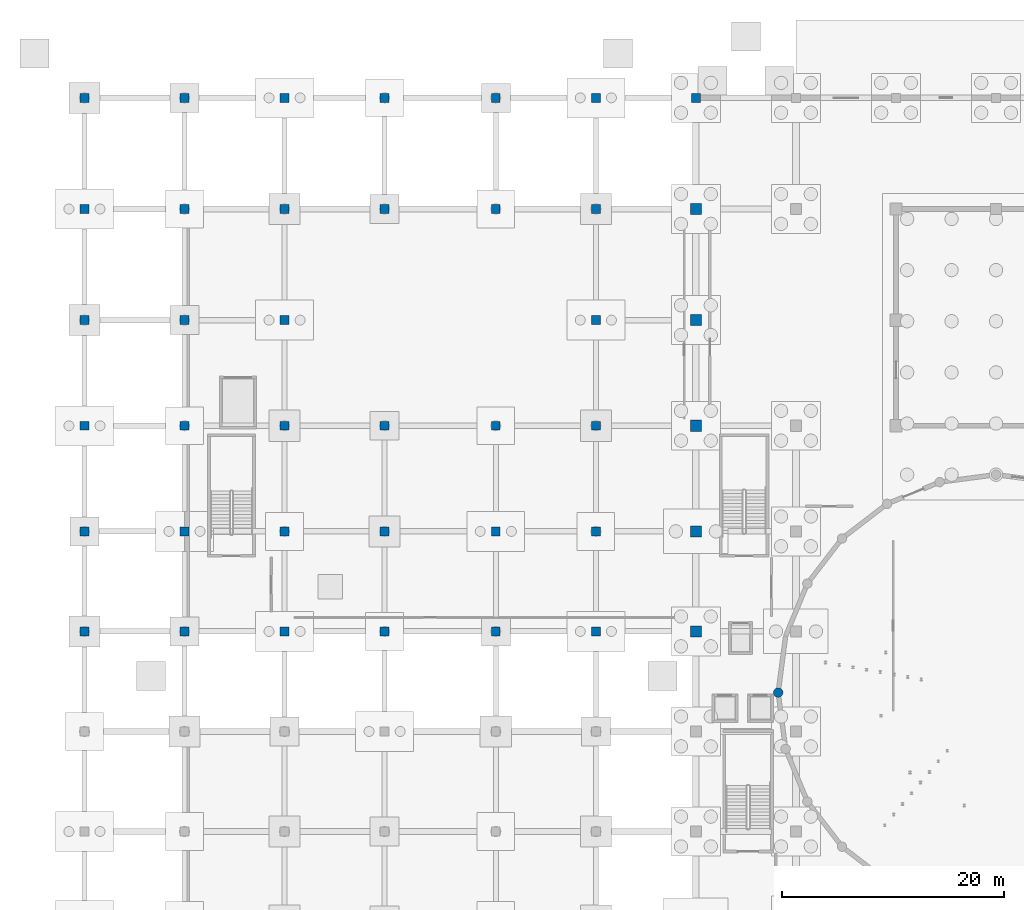
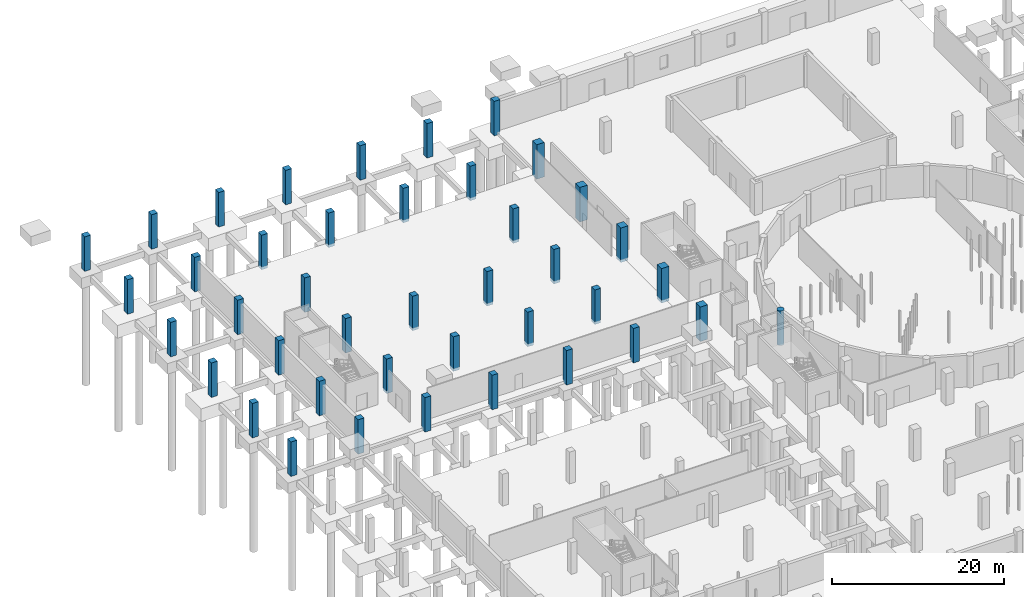
# One storey, part 21 of 40: 41 columns.
"""IFC4 building model written with IfcOpenShell, lengths in metres."""

from ifc_helpers import new_model, si_unit, direction, frame, origin, origin_2d, place, context, subcontext, project, spatial, rectangle, circle, extrude, material, material_profile, profile_set, type_object, element, save


model = new_model("IFC4")

# Units and contexts
model_context = context("Model", 3, precision=1e-05, world=origin(), true_north=direction((0.0, 1.0)))
body_context = subcontext(model_context, "Body", "Model", "MODEL_VIEW")
ifc_project = project(units=[si_unit("LENGTHUNIT", "METRE"), si_unit("AREAUNIT", "SQUARE_METRE"), si_unit("VOLUMEUNIT", "CUBIC_METRE"), si_unit("PLANEANGLEUNIT", "RADIAN"), si_unit("MASSUNIT", "GRAM", prefix="KILO")], contexts=[model_context])

# Site, building, storey
site_placement = place(None, origin())
site = spatial("IfcSite", under=ifc_project, at=site_placement, CompositionType="ELEMENT")
building_placement = place(site_placement, origin())
building = spatial("IfcBuilding", under=site, at=building_placement, Name="Marnock Terrace Opera House", CompositionType="ELEMENT")
storey_placement = place(building_placement, frame((0.0, 0.0, -4.800048828125)))
storey = spatial("IfcBuildingStorey", under=building, at=storey_placement, Name="B1", CompositionType="ELEMENT", Elevation=-4.800048828125)

# Columns
ifc_material = material(Name="Concrete N50 (f'c = 50 MPa)", Category="concrete")
ifc_material_profile_1 = material_profile(ifc_material, circle(Radius=0.425048828125, at=origin_2d()))
ifc_profile_set_1 = profile_set([ifc_material_profile_1], Name="Concrete N50 (f'c = 50 MPa)")
column_type_1 = type_object("IfcColumnType", Name="COL-DRUM-850", PredefinedType="COLUMN", material=ifc_profile_set_1)
column_placement = place(storey_placement, frame((62.39990234375, 60.5, -0.39990234375), z_axis=(0.0, 0.0, 1.0), x_axis=(1.0, 0.0, 0.0)))
element("IfcColumn", 1, at=column_placement, inside=storey, type_object=column_type_1, Name="B1 auditorium drum pier 13", PredefinedType="COLUMN", context=body_context, shape_type="SweptSolid", body=[
    extrude(circle(Radius=0.425048828125, at=origin_2d()), origin(), (0.0, 0.0, 1.0), 4.89990234375),
])
ifc_material_profile_2 = material_profile(ifc_material, rectangle(XDim=1.0, YDim=1.0, at=origin_2d()))
ifc_profile_set_2 = profile_set([ifc_material_profile_2], Name="Concrete N50 (f'c = 50 MPa)")
column_type_2 = type_object("IfcColumnType", Name="COL-RC1000", PredefinedType="COLUMN", material=ifc_profile_set_2)
for number, where, z_axis, x_axis, name in (
    (2, (55.0, 66.0, -0.39990234375), (0.0, 0.0, 1.0), (1.0, 0.0, 0.0), "B1 column at (55.0, 66.0)"),
    (3, (55.0, 75.0, -0.39990234375), (0.0, 0.0, 1.0), (1.0, 0.0, 0.0), "B1 column at (55.0, 75.0)"),
    (4, (55.0, 84.5, -0.39990234375), (0.0, 0.0, 1.0), (1.0, 0.0, 0.0), "B1 column at (55.0, 84.5)"),
    (5, (55.0, 94.0, -0.39990234375), (0.0, 0.0, 1.0), (1.0, 0.0, 0.0), "B1 column at (55.0, 94.0)"),
    (6, (55.0, 104.0, -0.39990234375), (0.0, 0.0, 1.0), (1.0, 0.0, 0.0), "B1 column at (55.0, 104.0)"),
):
    element("IfcColumn", number, at=place(storey_placement, frame(where, z_axis=z_axis, x_axis=x_axis)), inside=storey, type_object=column_type_2, Name=name, PredefinedType="COLUMN", context=body_context, shape_type="SweptSolid", body=[
        extrude(rectangle(XDim=1.0, YDim=1.0, at=origin_2d()), origin(), (0.0, 0.0, 1.0), 4.89990234375),
    ])
ifc_material_profile_3 = material_profile(ifc_material, rectangle(XDim=0.800048828125, YDim=0.800048828125, at=origin_2d()))
ifc_profile_set_3 = profile_set([ifc_material_profile_3], Name="Concrete N50 (f'c = 50 MPa)")
column_type_3 = type_object("IfcColumnType", Name="COL-RC800", PredefinedType="COLUMN", material=ifc_profile_set_3)
for number, where, z_axis, x_axis, name in (
    (7, (0.0, 66.0, -0.39990234375), (0.0, 0.0, 1.0), (1.0, 0.0, 0.0), "B1 column at (0.0, 66.0)"),
    (8, (0.0, 75.0, -0.39990234375), (0.0, 0.0, 1.0), (1.0, 0.0, 0.0), "B1 column at (0.0, 75.0)"),
    (9, (0.0, 84.5, -0.39990234375), (0.0, 0.0, 1.0), (1.0, 0.0, 0.0), "B1 column at (0.0, 84.5)"),
    (10, (0.0, 94.0, -0.39990234375), (0.0, 0.0, 1.0), (1.0, 0.0, 0.0), "B1 column at (0.0, 94.0)"),
    (11, (0.0, 104.0, -0.39990234375), (0.0, 0.0, 1.0), (1.0, 0.0, 0.0), "B1 column at (0.0, 104.0)"),
    (12, (0.0, 114.0, -0.39990234375), (0.0, 0.0, 1.0), (1.0, 0.0, 0.0), "B1 column at (0.0, 114.0)"),
    (13, (9.0, 66.0, -0.39990234375), (0.0, 0.0, 1.0), (1.0, 0.0, 0.0), "B1 column at (9.0, 66.0)"),
    (14, (9.0, 75.0, -0.39990234375), (0.0, 0.0, 1.0), (1.0, 0.0, 0.0), "B1 column at (9.0, 75.0)"),
    (15, (9.0, 84.5, -0.39990234375), (0.0, 0.0, 1.0), (1.0, 0.0, 0.0), "B1 column at (9.0, 84.5)"),
    (16, (9.0, 94.0, -0.39990234375), (0.0, 0.0, 1.0), (1.0, 0.0, 0.0), "B1 column at (9.0, 94.0)"),
    (17, (9.0, 104.0, -0.39990234375), (0.0, 0.0, 1.0), (1.0, 0.0, 0.0), "B1 column at (9.0, 104.0)"),
    (18, (9.0, 114.0, -0.39990234375), (0.0, 0.0, 1.0), (1.0, 0.0, 0.0), "B1 column at (9.0, 114.0)"),
    (19, (18.0, 66.0, -0.39990234375), (0.0, 0.0, 1.0), (1.0, 0.0, 0.0), "B1 column at (18.0, 66.0)"),
    (20, (18.0, 75.0, -0.39990234375), (0.0, 0.0, 1.0), (1.0, 0.0, 0.0), "B1 column at (18.0, 75.0)"),
    (21, (18.0, 84.5, -0.39990234375), (0.0, 0.0, 1.0), (1.0, 0.0, 0.0), "B1 column at (18.0, 84.5)"),
    (22, (18.0, 94.0, -0.39990234375), (0.0, 0.0, 1.0), (1.0, 0.0, 0.0), "B1 column at (18.0, 94.0)"),
    (23, (18.0, 104.0, -0.39990234375), (0.0, 0.0, 1.0), (1.0, 0.0, 0.0), "B1 column at (18.0, 104.0)"),
    (24, (18.0, 114.0, -0.39990234375), (0.0, 0.0, 1.0), (1.0, 0.0, 0.0), "B1 column at (18.0, 114.0)"),
    (25, (27.0, 66.0, -0.39990234375), (0.0, 0.0, 1.0), (1.0, 0.0, 0.0), "B1 column at (27.0, 66.0)"),
    (26, (27.0, 75.0, -0.39990234375), (0.0, 0.0, 1.0), (1.0, 0.0, 0.0), "B1 column at (27.0, 75.0)"),
    (27, (27.0, 84.5, -0.39990234375), (0.0, 0.0, 1.0), (1.0, 0.0, 0.0), "B1 column at (27.0, 84.5)"),
    (28, (27.0, 104.0, -0.39990234375), (0.0, 0.0, 1.0), (1.0, 0.0, 0.0), "B1 column at (27.0, 104.0)"),
    (29, (27.0, 114.0, -0.39990234375), (0.0, 0.0, 1.0), (1.0, 0.0, 0.0), "B1 column at (27.0, 114.0)"),
    (30, (37.0, 66.0, -0.39990234375), (0.0, 0.0, 1.0), (1.0, 0.0, 0.0), "B1 column at (37.0, 66.0)"),
    (31, (37.0, 75.0, -0.39990234375), (0.0, 0.0, 1.0), (1.0, 0.0, 0.0), "B1 column at (37.0, 75.0)"),
    (32, (37.0, 84.5, -0.39990234375), (0.0, 0.0, 1.0), (1.0, 0.0, 0.0), "B1 column at (37.0, 84.5)"),
    (33, (37.0, 104.0, -0.39990234375), (0.0, 0.0, 1.0), (1.0, 0.0, 0.0), "B1 column at (37.0, 104.0)"),
    (34, (37.0, 114.0, -0.39990234375), (0.0, 0.0, 1.0), (1.0, 0.0, 0.0), "B1 column at (37.0, 114.0)"),
    (35, (46.0, 66.0, -0.39990234375), (0.0, 0.0, 1.0), (1.0, 0.0, 0.0), "B1 column at (46.0, 66.0)"),
    (36, (46.0, 75.0, -0.39990234375), (0.0, 0.0, 1.0), (1.0, 0.0, 0.0), "B1 column at (46.0, 75.0)"),
    (37, (46.0, 84.5, -0.39990234375), (0.0, 0.0, 1.0), (1.0, 0.0, 0.0), "B1 column at (46.0, 84.5)"),
    (38, (46.0, 94.0, -0.39990234375), (0.0, 0.0, 1.0), (1.0, 0.0, 0.0), "B1 column at (46.0, 94.0)"),
    (39, (46.0, 104.0, -0.39990234375), (0.0, 0.0, 1.0), (1.0, 0.0, 0.0), "B1 column at (46.0, 104.0)"),
    (40, (46.0, 114.0, -0.39990234375), (0.0, 0.0, 1.0), (1.0, 0.0, 0.0), "B1 column at (46.0, 114.0)"),
    (41, (55.0, 114.0, -0.39990234375), (0.0, 0.0, 1.0), (1.0, 0.0, 0.0), "B1 column at (55.0, 114.0)"),
):
    element("IfcColumn", number, at=place(storey_placement, frame(where, z_axis=z_axis, x_axis=x_axis)), inside=storey, type_object=column_type_3, Name=name, PredefinedType="COLUMN", context=body_context, shape_type="SweptSolid", body=[
        extrude(rectangle(XDim=0.800048828125, YDim=0.800048828125, at=origin_2d()), origin(), (0.0, 0.0, 1.0), 4.89990234375),
    ])

save(model, "model.ifc")
